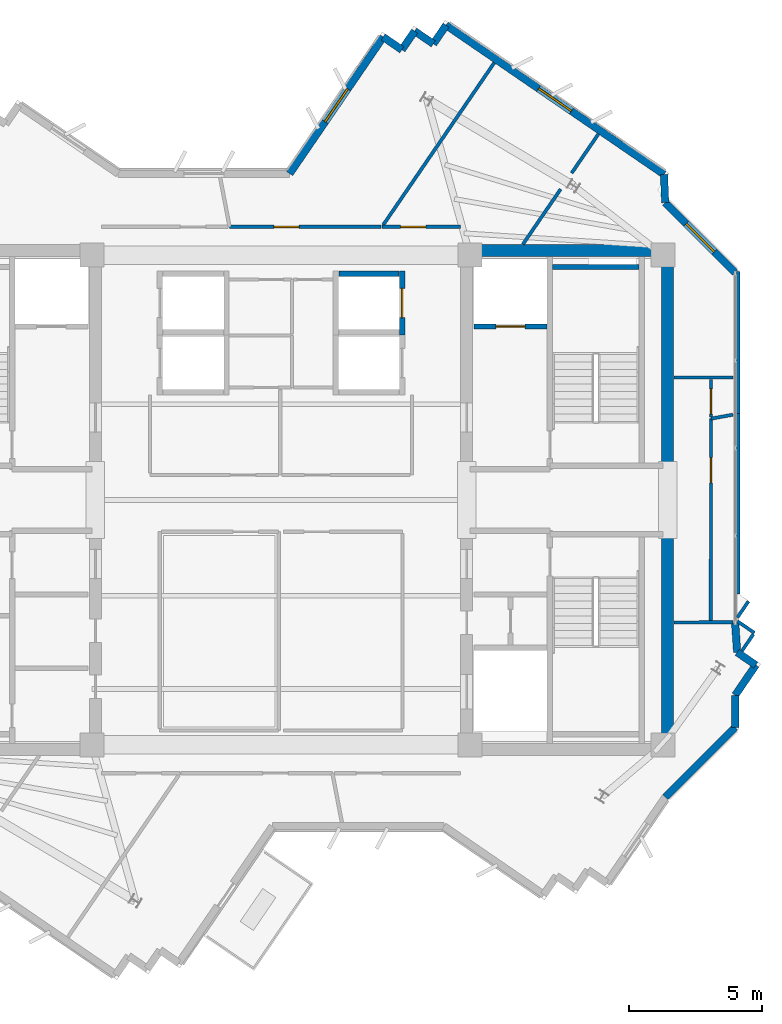
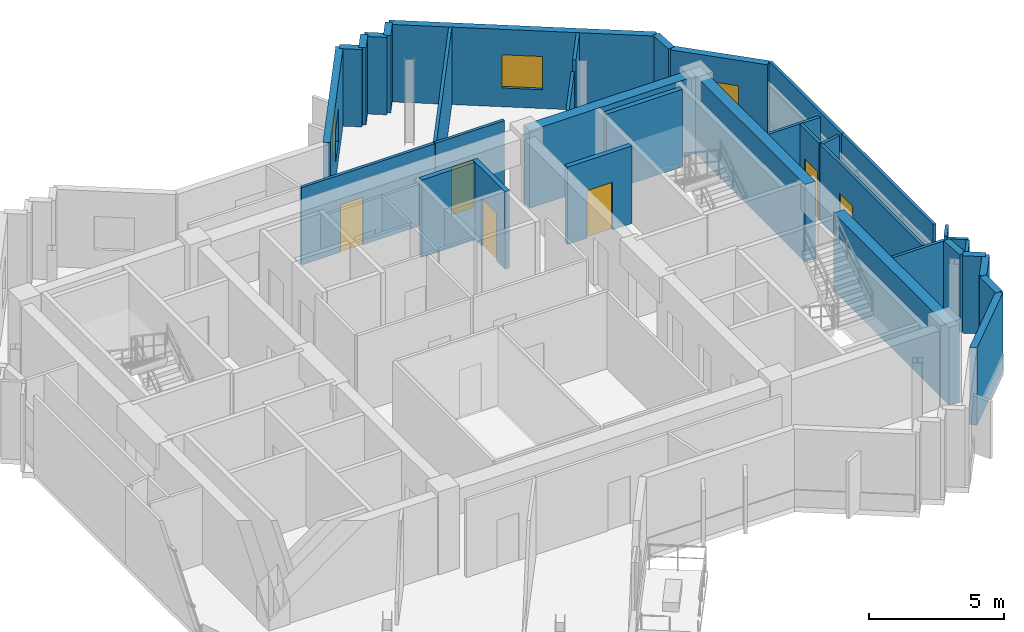
# One storey, part 8 of 11: 35 walls, 6 doors, 3 windows, 9 openings.
"""IFC4 building model written with IfcOpenShell, lengths in metres."""

import ifcopenshell
import ifcopenshell.guid

model = None  # the IFC model being written
_history = None  # IfcOwnerHistory: only IFC2X3 demands one
_inside = {}  # id of a spatial element -> (the spatial element, [elements in it])
_under = {}  # id of a project, library or spatial element -> (it, [spatial elements below it])
_declared = {}  # id of a project -> (the project, [libraries it declares])
_typed = {}  # id of a type object -> (the type object, [elements of that type])
_made_of = {}  # id of a material, layer set ... -> (it, [elements and type objects made of it])


def new_model(schema):
    """Start an empty IFC model of exactly this schema.

    Asked for "IFC4X3", IfcOpenShell would pick the latest addendum, in which some entities
    have other attributes; the version numbers below select the first issue.
    IFC2X3 requires an IfcOwnerHistory on every rooted entity: one is made here for all.
    """
    global model, _history
    if schema == "IFC4X3":
        model = ifcopenshell.file(schema_version=(4, 3, 0, 0))
    else:
        model = ifcopenshell.file(schema=schema)
    _inside.clear()
    _under.clear()
    _declared.clear()
    _typed.clear()
    _made_of.clear()
    _history = None
    if model.schema == "IFC2X3":
        org = make("IfcOrganization", Name="unknown")
        user = make(
            "IfcPersonAndOrganization",
            ThePerson=make("IfcPerson", FamilyName="unknown"),
            TheOrganization=org,
        )
        app = make(
            "IfcApplication",
            ApplicationDeveloper=org,
            Version="unknown",
            ApplicationFullName="unknown",
            ApplicationIdentifier="unknown",
        )
        _history = make(
            "IfcOwnerHistory",
            OwningUser=user,
            OwningApplication=app,
            ChangeAction="ADDED",
            CreationDate=0,
        )
    return model


def make(cls, **values):
    """One entity of the class cls with the attributes given. An attribute that is None is left unset."""
    return model.create_entity(
        cls, **{name: value for name, value in values.items() if value is not None}
    )


def rooted(cls, **values):
    """An entity with a GlobalId (a new one), such as an element, a storey or a relation."""
    return make(cls, GlobalId=ifcopenshell.guid.new(), OwnerHistory=_history, **values)


def si_unit(unit_type, name, prefix=None):
    """IfcSIUnit, for example si_unit("LENGTHUNIT", "METRE", prefix="MILLI")."""
    return make("IfcSIUnit", UnitType=unit_type, Prefix=prefix, Name=name)


def assignment(units):
    """IfcUnitAssignment: the units of a project."""
    return None if units is None else make("IfcUnitAssignment", Units=units)


def point(xyz):
    """IfcCartesianPoint."""
    return None if xyz is None else make("IfcCartesianPoint", Coordinates=xyz)


def direction(xyz):
    """IfcDirection."""
    return None if xyz is None else make("IfcDirection", DirectionRatios=xyz)


def frame(location, z_axis=None, x_axis=None):
    """IfcAxis2Placement3D, a coordinate frame: its origin and axes. An axis left out is left unset."""
    return make(
        "IfcAxis2Placement3D",
        Location=point(location),
        Axis=direction(z_axis),
        RefDirection=direction(x_axis),
    )


def frame_2d(location, x_axis=None):
    """IfcAxis2Placement2D, a coordinate frame in the plane: its origin and x axis."""
    return make(
        "IfcAxis2Placement2D", Location=point(location), RefDirection=direction(x_axis)
    )


def origin():
    """The frame at (0, 0, 0) with its axes left unset."""
    return frame((0.0, 0.0, 0.0))


def place(relative_to, where):
    """IfcLocalPlacement: puts the frame where relative to a parent placement (None: the world)."""
    return make(
        "IfcLocalPlacement", PlacementRelTo=relative_to, RelativePlacement=where
    )


def context(
    kind, dimensions, precision=None, world=None, true_north=None, identifier=None
):
    """IfcGeometricRepresentationContext, for example the 3D "Model" context."""
    return make(
        "IfcGeometricRepresentationContext",
        ContextIdentifier=identifier,
        ContextType=kind,
        CoordinateSpaceDimension=dimensions,
        Precision=precision,
        WorldCoordinateSystem=world,
        TrueNorth=true_north,
    )


def subcontext(parent, identifier, kind, view, scale=None):
    """IfcGeometricRepresentationSubContext, for example "Body" below "Model"."""
    return make(
        "IfcGeometricRepresentationSubContext",
        ContextIdentifier=identifier,
        ContextType=kind,
        ParentContext=parent,
        TargetScale=scale,
        TargetView=view,
    )


def project(units=None, contexts=None):
    """IfcProject with its units and contexts."""
    return rooted(
        "IfcProject",
        Name="project",
        RepresentationContexts=contexts,
        UnitsInContext=assignment(units),
    )


def spatial(cls, under=None, at=None, **own):
    """A site, building, storey or space (cls), placed at a placement, below another one or the project."""
    s = rooted(cls, ObjectPlacement=at, **own)
    if under is not None:
        _under.setdefault(under.id(), (under, []))[1].append(s)
    return s


def profile(cls, at=None, kind="AREA", **sizes):
    """A parametric profile (cls). Its sizes go by their IFC names, for example OverallWidth=200.0."""
    return make(cls, ProfileType=kind, Position=at, **sizes)


def rectangle(**sizes):
    """IfcRectangleProfileDef."""
    return profile("IfcRectangleProfileDef", **sizes)


def extrude(swept, where, along, depth):
    """IfcExtrudedAreaSolid: the profile swept, set in the frame where, extruded along a direction by depth."""
    return make(
        "IfcExtrudedAreaSolid",
        SweptArea=swept,
        Position=where,
        ExtrudedDirection=direction(along),
        Depth=depth,
    )


def shape(context_of_items, identifier, shape_type, items):
    """IfcShapeRepresentation: the items that make up one representation, for example the "Body"."""
    return make(
        "IfcShapeRepresentation",
        ContextOfItems=context_of_items,
        RepresentationIdentifier=identifier,
        RepresentationType=shape_type,
        Items=items,
    )


def source(mapping_origin, context_of_items, identifier, shape_type, items):
    """IfcRepresentationMap: a shape defined once, which mapped items show again and again."""
    return make(
        "IfcRepresentationMap",
        MappingOrigin=mapping_origin,
        MappedRepresentation=shape(context_of_items, identifier, shape_type, items),
    )


def transform(
    local_origin,
    x_axis=None,
    y_axis=None,
    z_axis=None,
    scale=None,
    scale2=None,
    scale3=None,
    uniform=True,
):
    """IfcCartesianTransformationOperator3D, or its non-uniform kind. x_axis, y_axis, z_axis: its Axis1, 2, 3."""
    if uniform:
        return make(
            "IfcCartesianTransformationOperator3D",
            Axis1=direction(x_axis),
            Axis2=direction(y_axis),
            LocalOrigin=point(local_origin),
            Scale=scale,
            Axis3=direction(z_axis),
        )
    return make(
        "IfcCartesianTransformationOperator3DnonUniform",
        Axis1=direction(x_axis),
        Axis2=direction(y_axis),
        LocalOrigin=point(local_origin),
        Scale=scale,
        Axis3=direction(z_axis),
        Scale2=scale2,
        Scale3=scale3,
    )


def mapped(mapping_source, mapping_target):
    """IfcMappedItem: shows the shape of a source again, moved by a transform."""
    return make(
        "IfcMappedItem", MappingSource=mapping_source, MappingTarget=mapping_target
    )


def material(Name=None, Category=None):
    """IfcMaterial."""
    return make("IfcMaterial", Name=Name, Category=Category)


def layer(
    of_material, thickness, ventilated=None, Name=None, Category=None, Priority=None
):
    """IfcMaterialLayer: one layer of a wall or slab, of a material (None: an air gap)."""
    return make(
        "IfcMaterialLayer",
        Material=of_material,
        LayerThickness=thickness,
        IsVentilated=ventilated,
        Name=Name,
        Category=Category,
        Priority=Priority,
    )


def layer_set(layers, Name=None):
    """IfcMaterialLayerSet."""
    return make("IfcMaterialLayerSet", MaterialLayers=layers, LayerSetName=Name)


def made_of(thing, what):
    """Note that an element or type object is made of a material, layer set ...; save() writes the relation."""
    if what is not None:
        _made_of.setdefault(what.id(), (what, []))[1].append(thing)
    return thing


def type_object(cls, material=None, **own):
    """A type object (cls), such as IfcWallType, which elements share."""
    return made_of(rooted(cls, **own), material)


def element(
    cls,
    number,
    at=None,
    inside=None,
    cuts=None,
    type_object=None,
    material=None,
    context=None,
    identifier="Body",
    shape_type=None,
    held_by="IfcProductDefinitionShape",
    body=None,
    shapes=None,
    **own,
):
    """One element of the class cls, such as IfcWall. Its Tag is "e" and its number.

    at: its placement. inside: the storey or other place that contains it. cuts: it is an
    opening in that element (IfcRelVoidsElement). A single representation is given by context,
    identifier, shape_type and body (its items); several are given by shapes. held_by: the class
    of the entity that holds the representations. save() writes the other relations.
    """
    e = rooted(cls, Tag="e%d" % number, ObjectPlacement=at, **own)
    if body is not None:
        shapes = [shape(context, identifier, shape_type, body)]
    if shapes is not None:
        e.Representation = make(held_by, Representations=shapes)
    if inside is not None:
        _inside.setdefault(inside.id(), (inside, []))[1].append(e)
    if cuts is not None:
        rooted(
            "IfcRelVoidsElement", RelatingBuildingElement=cuts, RelatedOpeningElement=e
        )
    if type_object is not None:
        _typed.setdefault(type_object.id(), (type_object, []))[1].append(e)
    return made_of(e, material)


def fill(opening, filler):
    """IfcRelFillsElement: the door or window that sits in an opening."""
    return rooted(
        "IfcRelFillsElement",
        RelatingOpeningElement=opening,
        RelatedBuildingElement=filler,
    )


def aggregate(whole, parts):
    """IfcRelAggregates: a whole, such as a stair, and the parts it consists of."""
    return rooted("IfcRelAggregates", RelatingObject=whole, RelatedObjects=parts)


def save(model, path):
    """Write the relations noted so far, then the file.

    IfcRelAggregates (storeys below a building ...), IfcRelContainedInSpatialStructure (elements
    in a storey), IfcRelDefinesByType, IfcRelAssociatesMaterial and IfcRelDeclares: one each for
    every whole, place, type object, material and project.
    """
    for whole, parts in _under.values():
        aggregate(whole, parts)
    for where, things in _inside.values():
        rooted(
            "IfcRelContainedInSpatialStructure",
            RelatedElements=things,
            RelatingStructure=where,
        )
    for kind, things in _typed.values():
        rooted("IfcRelDefinesByType", RelatedObjects=things, RelatingType=kind)
    for what, things in _made_of.values():
        rooted("IfcRelAssociatesMaterial", RelatedObjects=things, RelatingMaterial=what)
    for by, libraries in _declared.values():
        rooted("IfcRelDeclares", RelatingContext=by, RelatedDefinitions=libraries)
    model.write(path)


model = new_model("IFC4")

# Units and contexts
model_context = context("Model", 3, precision=1e-05, world=origin(), true_north=direction((0.0, 1.0)))
body_context = subcontext(model_context, "Body", "Model", "MODEL_VIEW")
ifc_project = project(units=[si_unit("LENGTHUNIT", "METRE"), si_unit("AREAUNIT", "SQUARE_METRE"), si_unit("VOLUMEUNIT", "CUBIC_METRE"), si_unit("PLANEANGLEUNIT", "RADIAN"), si_unit("MASSUNIT", "GRAM", prefix="KILO")], contexts=[model_context])

# Site, building, storey
site_placement = place(None, origin())
site = spatial("IfcSite", under=ifc_project, at=site_placement, CompositionType="ELEMENT")
building_placement = place(site_placement, origin())
building = spatial("IfcBuilding", under=site, at=building_placement, Name="Zahravan Cultural Tower", CompositionType="ELEMENT")
storey_placement = place(building_placement, frame((0.0, 0.0, 338.550048828125)))
storey = spatial("IfcBuildingStorey", under=building, at=storey_placement, Name="L82", CompositionType="ELEMENT", Elevation=338.550048828125)

# Wall, opening, window
ifc_material_1 = material(Name="Precast concrete C40/50", Category="concrete")
ifc_layer_1 = layer(ifc_material_1, 0.280029296875)
ifc_layer_set_1 = layer_set([ifc_layer_1], Name="Precast concrete C40/50")
wall_type_1 = type_object("IfcWallType", Name="EW-TC-280", PredefinedType="SOLIDWALL", material=ifc_layer_set_1)
wall_1_placement = place(storey_placement, frame((36.322998046875, 39.260009765625, 0.0), z_axis=(0.0, 0.0, 1.0), x_axis=(0.564953982519, 0.825122413728, 0.0)))
wall_1 = element("IfcWall", 1, at=wall_1_placement, inside=storey, type_object=wall_type_1, Name="L82 Exterior Masonry Frame Wall 14", PredefinedType="SOLIDWALL", context=body_context, shape_type="SweptSolid", body=[
    extrude(rectangle(XDim=6.221435546875, YDim=0.280029296875, at=frame_2d((3.11083984375, 0.0))), origin(), (0.0, 0.0, 1.0), 3.5),
])
opening_1_placement = place(wall_1_placement, frame((2.361083984375, 0.0, 0.85009765625)))
opening_1 = element("IfcOpeningElement", 2, at=opening_1_placement, cuts=wall_1, Name="Opening WN-03", PredefinedType="OPENING", context=body_context, shape_type="SweptSolid", body=[
    extrude(rectangle(XDim=1.5, YDim=1.5, at=frame_2d((0.75, 0.75))), frame((0.0, 0.14990234375, 0.0), z_axis=(0.0, -1.0, 0.0), x_axis=(1.0, 0.0, 0.0)), (0.0, 0.0, 1.0), 0.300048828125),
])
ifc_material_2 = material(Name="Low-E solar-control double glazing", Category="glass")
window_type = type_object("IfcWindowType", Name="WN-REC-1500X1500", PartitioningType="SINGLE_PANEL", PredefinedType="WINDOW", material=ifc_material_2)
shared_shape_1 = source(origin(), body_context, "Body", "SweptSolid", [
    extrude(rectangle(XDim=1.5, YDim=1.5, at=frame_2d((0.75, 0.75))), frame((0.0, 0.030029296875, 0.0), z_axis=(0.0, -1.0, 0.0), x_axis=(1.0, 0.0, 0.0)), (0.0, 0.0, 1.0), 0.06005859375),
])
window_1_placement = place(opening_1_placement, origin())
window_1 = element("IfcWindow", 3, at=window_1_placement, inside=storey, type_object=window_type, Name="L82 Recessed Solar Window 05", OverallHeight=1.5, OverallWidth=1.5, PartitioningType="SINGLE_PANEL", PredefinedType="WINDOW", context=body_context, shape_type="MappedRepresentation", body=[
    mapped(shared_shape_1, transform((0.0, 0.0, 0.0), x_axis=(1.0, 0.0, 0.0), y_axis=(0.0, 1.0, 0.0), z_axis=(0.0, 0.0, 1.0), scale=1.0)),
])
fill(opening_1, window_1)

wall_2_placement = place(storey_placement, frame((42.201171875, 44.835693359375, 0.0), z_axis=(0.0, 0.0, 1.0), x_axis=(0.825121888295, -0.56495474992, 0.0)))
wall_2 = element("IfcWall", 4, at=wall_2_placement, inside=storey, type_object=wall_type_1, Name="L82 Exterior Masonry Frame Wall 19", PredefinedType="SOLIDWALL", context=body_context, shape_type="SweptSolid", body=[
    extrude(rectangle(XDim=9.919921875, YDim=0.280029296875, at=frame_2d((4.9599609375, 0.0))), origin(), (0.0, 0.0, 1.0), 3.5),
])
opening_2_placement = place(wall_2_placement, frame((4.2099609375, 0.0, 0.85009765625)))
opening_2 = element("IfcOpeningElement", 5, at=opening_2_placement, cuts=wall_2, Name="Opening WN-03", PredefinedType="OPENING", context=body_context, shape_type="SweptSolid", body=[
    extrude(rectangle(XDim=1.5, YDim=1.5, at=frame_2d((0.75, 0.75))), frame((0.0, 0.14990234375, 0.0), z_axis=(0.0, -1.0, 0.0), x_axis=(1.0, 0.0, 0.0)), (0.0, 0.0, 1.0), 0.300048828125),
])
window_2_placement = place(opening_2_placement, origin())
window_2 = element("IfcWindow", 6, at=window_2_placement, inside=storey, type_object=window_type, Name="L82 Recessed Solar Window 06", OverallHeight=1.5, OverallWidth=1.5, PartitioningType="SINGLE_PANEL", PredefinedType="WINDOW", context=body_context, shape_type="MappedRepresentation", body=[
    mapped(shared_shape_1, transform((0.0, 0.0, 0.0), x_axis=(1.0, 0.0, 0.0), y_axis=(0.0, 1.0, 0.0), z_axis=(0.0, 0.0, 1.0), scale=1.0)),
])
fill(opening_2, window_2)

wall_3_placement = place(storey_placement, frame((50.432373046875, 38.169677734375, 0.0), z_axis=(0.0, 0.0, 1.0), x_axis=(0.707106781187, -0.707106781187, 0.0)))
wall_3 = element("IfcWall", 7, at=wall_3_placement, inside=storey, type_object=wall_type_1, Name="L82 Exterior Masonry Frame Wall 21", PredefinedType="SOLIDWALL", context=body_context, shape_type="SweptSolid", body=[
    extrude(rectangle(XDim=3.716064453125, YDim=0.280029296875, at=frame_2d((1.85791015625, 0.0))), origin(), (0.0, 0.0, 1.0), 3.5),
])
opening_3_placement = place(wall_3_placement, frame((1.10791015625, 0.0, 0.85009765625)))
opening_3 = element("IfcOpeningElement", 8, at=opening_3_placement, cuts=wall_3, Name="Opening WN-03", PredefinedType="OPENING", context=body_context, shape_type="SweptSolid", body=[
    extrude(rectangle(XDim=1.5, YDim=1.5, at=frame_2d((0.75, 0.75))), frame((0.0, 0.14990234375, 0.0), z_axis=(0.0, -1.0, 0.0), x_axis=(1.0, 0.0, 0.0)), (0.0, 0.0, 1.0), 0.300048828125),
])
window_3_placement = place(opening_3_placement, origin())
window_3 = element("IfcWindow", 9, at=window_3_placement, inside=storey, type_object=window_type, Name="L82 Recessed Solar Window 07", OverallHeight=1.5, OverallWidth=1.5, PartitioningType="SINGLE_PANEL", PredefinedType="WINDOW", context=body_context, shape_type="MappedRepresentation", body=[
    mapped(shared_shape_1, transform((0.0, 0.0, 0.0), x_axis=(1.0, 0.0, 0.0), y_axis=(0.0, 1.0, 0.0), z_axis=(0.0, 0.0, 1.0), scale=1.0)),
])
fill(opening_3, window_3)

# Wall, opening, door
ifc_material_3 = material(Name="Gypsum plasterboard partition")
ifc_layer_2 = layer(ifc_material_3, 0.125)
ifc_layer_set_2 = layer_set([ifc_layer_2], Name="Gypsum plasterboard partition")
wall_type_2 = type_object("IfcWallType", Name="W-PART-125", PredefinedType="PARTITIONING", material=ifc_layer_set_2)
wall_4_placement = place(storey_placement, frame((52.1474609375, 22.469970703125, 0.0), z_axis=(0.0, 0.0, 1.0), x_axis=(0.000321874581, 0.999999948198, 0.0)))
wall_4 = element("IfcWall", 10, at=wall_4_placement, inside=storey, type_object=wall_type_2, Name="L82 Interior Wall 056", PredefinedType="PARTITIONING", context=body_context, shape_type="SweptSolid", body=[
    extrude(rectangle(XDim=7.5849609375, YDim=0.125, at=frame_2d((3.79248046875, 0.0))), origin(), (0.0, 0.0, 1.0), 3.5),
])
opening_4_placement = place(wall_4_placement, frame((5.17529296875, 0.0, 0.0)))
opening_4 = element("IfcOpeningElement", 11, at=opening_4_placement, cuts=wall_4, Name="Opening D-L82-29", PredefinedType="OPENING", context=body_context, shape_type="SweptSolid", body=[
    extrude(rectangle(XDim=0.949951171875, YDim=2.14990234375, at=frame_2d((0.47509765625, 1.074951171875))), frame((0.0, 0.072509765625, 0.0), z_axis=(0.0, -1.0, 0.0), x_axis=(1.0, 0.0, 0.0)), (0.0, 0.0, 1.0), 0.14501953125),
])
ifc_material_4 = material(Name="Anodised bronze-aluminium mullion", Category="aluminium")
door_type_1 = type_object("IfcDoorType", Name="DR-ROOM-950", OperationType="NOTDEFINED", PredefinedType="DOOR", material=ifc_material_4)
shared_shape_2 = source(origin(), body_context, "Body", "SweptSolid", [
    extrude(rectangle(XDim=0.949951171875, YDim=2.14990234375, at=frame_2d((0.47509765625, 1.074951171875))), frame((0.0, 0.02490234375, 0.0), z_axis=(0.0, -1.0, 0.0), x_axis=(1.0, 0.0, 0.0)), (0.0, 0.0, 1.0), 0.050048828125),
])
door_1_placement = place(opening_4_placement, origin())
door_1 = element("IfcDoor", 12, at=door_1_placement, inside=storey, type_object=door_type_1, Name="L82 Door D-L82-29", OperationType="SINGLE_SWING_RIGHT", OverallHeight=2.14990234375, OverallWidth=0.949951171875, PredefinedType="DOOR", context=body_context, shape_type="MappedRepresentation", body=[
    mapped(shared_shape_2, transform((0.0, 0.0, 0.0), x_axis=(1.0, 0.0, 0.0), y_axis=(0.0, 1.0, 0.0), z_axis=(0.0, 0.0, 1.0), scale=1.0)),
])
fill(opening_4, door_1)

wall_5_placement = place(storey_placement, frame((52.14990234375, 30.12353515625, 0.0), z_axis=(0.0, 0.0, 1.0), x_axis=(-0.000520201074, 0.999999864695, 0.0)))
wall_5 = element("IfcWall", 13, at=wall_5_placement, inside=storey, type_object=wall_type_2, Name="L82 Interior Wall 078", PredefinedType="PARTITIONING", context=body_context, shape_type="SweptSolid", body=[
    extrude(rectangle(XDim=1.407958984375, YDim=0.125, at=frame_2d((0.7041015625, 0.0))), origin(), (0.0, 0.0, 1.0), 3.5),
])
opening_5_placement = place(wall_5_placement, frame((0.100830078125, 0.0, 0.0)))
opening_5 = element("IfcOpeningElement", 14, at=opening_5_placement, cuts=wall_5, Name="Opening D-L82-20", PredefinedType="OPENING", context=body_context, shape_type="SweptSolid", body=[
    extrude(rectangle(XDim=0.949951171875, YDim=2.14990234375, at=frame_2d((0.47509765625, 1.074951171875))), frame((0.0, 0.072509765625, 0.0), z_axis=(0.0, -1.0, 0.0), x_axis=(1.0, 0.0, 0.0)), (0.0, 0.0, 1.0), 0.14501953125),
])
door_2_placement = place(opening_5_placement, origin())
door_2 = element("IfcDoor", 15, at=door_2_placement, inside=storey, type_object=door_type_1, Name="L82 Door D-L82-20", OperationType="SINGLE_SWING_LEFT", OverallHeight=2.14990234375, OverallWidth=0.949951171875, PredefinedType="DOOR", context=body_context, shape_type="MappedRepresentation", body=[
    mapped(shared_shape_2, transform((0.0, 0.0, 0.0), x_axis=(1.0, 0.0, 0.0), y_axis=(0.0, 1.0, 0.0), z_axis=(0.0, 0.0, 1.0), scale=1.0)),
])
fill(opening_5, door_2)

wall_6_placement = place(storey_placement, frame((42.742431640625, 37.259765625, 0.0), z_axis=(0.0, 0.0, 1.0), x_axis=(-0.999999996583, 8.2671957e-05, 0.0)))
wall_6 = element("IfcWall", 16, at=wall_6_placement, inside=storey, type_object=wall_type_2, Name="L82 Interior Wall 079", PredefinedType="PARTITIONING", context=body_context, shape_type="SweptSolid", body=[
    extrude(rectangle(XDim=2.953125, YDim=0.125, at=frame_2d((1.4765625, 0.0))), origin(), (0.0, 0.0, 1.0), 3.5),
])
opening_6_placement = place(wall_6_placement, frame((1.302001953125, 0.0, 0.0)))
opening_6 = element("IfcOpeningElement", 17, at=opening_6_placement, cuts=wall_6, Name="Opening D-L82-21", PredefinedType="OPENING", context=body_context, shape_type="SweptSolid", body=[
    extrude(rectangle(XDim=0.949951171875, YDim=2.14990234375, at=frame_2d((0.47509765625, 1.074951171875))), frame((0.0, 0.072509765625, 0.0), z_axis=(0.0, -1.0, 0.0), x_axis=(1.0, 0.0, 0.0)), (0.0, 0.0, 1.0), 0.14501953125),
])
door_3_placement = place(opening_6_placement, origin())
door_3 = element("IfcDoor", 18, at=door_3_placement, inside=storey, type_object=door_type_1, Name="L82 Door D-L82-21", OperationType="SINGLE_SWING_RIGHT", OverallHeight=2.14990234375, OverallWidth=0.949951171875, PredefinedType="DOOR", context=body_context, shape_type="MappedRepresentation", body=[
    mapped(shared_shape_2, transform((0.0, 0.0, 0.0), x_axis=(1.0, 0.0, 0.0), y_axis=(0.0, 1.0, 0.0), z_axis=(0.0, 0.0, 1.0), scale=1.0)),
])
fill(opening_6, door_3)

wall_7_placement = place(storey_placement, frame((39.764892578125, 37.260009765625, 0.0), z_axis=(0.0, 0.0, 1.0), x_axis=(-1.0, 0.0, 0.0)))
wall_7 = element("IfcWall", 19, at=wall_7_placement, inside=storey, type_object=wall_type_2, Name="L82 Interior Wall 090", PredefinedType="PARTITIONING", context=body_context, shape_type="SweptSolid", body=[
    extrude(rectangle(XDim=5.696044921875, YDim=0.125, at=frame_2d((2.84814453125, 0.0))), origin(), (0.0, 0.0, 1.0), 3.5),
])
opening_7_placement = place(wall_7_placement, frame((3.0849609375, 0.0, 0.0)))
opening_7 = element("IfcOpeningElement", 20, at=opening_7_placement, cuts=wall_7, Name="Opening D-L82-22", PredefinedType="OPENING", context=body_context, shape_type="SweptSolid", body=[
    extrude(rectangle(XDim=0.949951171875, YDim=2.14990234375, at=frame_2d((0.47509765625, 1.074951171875))), frame((0.0, 0.072509765625, 0.0), z_axis=(0.0, -1.0, 0.0), x_axis=(1.0, 0.0, 0.0)), (0.0, 0.0, 1.0), 0.14501953125),
])
door_4_placement = place(opening_7_placement, origin())
door_4 = element("IfcDoor", 21, at=door_4_placement, inside=storey, type_object=door_type_1, Name="L82 Door D-L82-22", OperationType="SINGLE_SWING_LEFT", OverallHeight=2.14990234375, OverallWidth=0.949951171875, PredefinedType="DOOR", context=body_context, shape_type="MappedRepresentation", body=[
    mapped(shared_shape_2, transform((0.0, 0.0, 0.0), x_axis=(1.0, 0.0, 0.0), y_axis=(0.0, 1.0, 0.0), z_axis=(0.0, 0.0, 1.0), scale=1.0)),
])
fill(opening_7, door_4)

ifc_material_5 = material(Name="Concrete C45/55", Category="concrete")
ifc_layer_3 = layer(ifc_material_5, 0.199951171875)
ifc_layer_set_3 = layer_set([ifc_layer_3], Name="Concrete C45/55")
wall_type_3 = type_object("IfcWallType", Name="W-SHAFT-200", PredefinedType="SOLIDWALL", material=ifc_layer_set_3)
wall_8_placement = place(storey_placement, frame((43.25, 33.52001953125, 0.0), z_axis=(0.0, 0.0, 1.0), x_axis=(1.0, 0.0, 0.0)))
wall_8 = element("IfcWall", 22, at=wall_8_placement, inside=storey, type_object=wall_type_3, Name="L82 Interior Wall 023", PredefinedType="SOLIDWALL", context=body_context, shape_type="SweptSolid", body=[
    extrude(rectangle(XDim=2.75, YDim=0.199951171875, at=frame_2d((1.375, 0.0))), origin(), (0.0, 0.0, 1.0), 3.5),
])
opening_8_placement = place(wall_8_placement, frame((0.820068359375, 0.0, 0.0)))
opening_8 = element("IfcOpeningElement", 23, at=opening_8_placement, cuts=wall_8, Name="Opening LD-L82-02", PredefinedType="OPENING", context=body_context, shape_type="SweptSolid", body=[
    extrude(rectangle(XDim=1.10009765625, YDim=2.14990234375, at=frame_2d((0.550048828125, 1.074951171875))), frame((0.0, 0.10986328125, 0.0), z_axis=(0.0, -1.0, 0.0), x_axis=(1.0, 0.0, 0.0)), (0.0, 0.0, 1.0), 0.219970703125),
])
ifc_material_6 = material(Name="Steel ASTM A572 Grade 50", Category="steel")
door_type_2 = type_object("IfcDoorType", Name="DR-LIFT-1100", OperationType="DOUBLE_DOOR_SLIDING", PredefinedType="DOOR", material=ifc_material_6)
shared_shape_3 = source(origin(), body_context, "Body", "SweptSolid", [
    extrude(rectangle(XDim=1.10009765625, YDim=2.14990234375, at=frame_2d((0.550048828125, 1.074951171875))), frame((0.0, 0.02490234375, 0.0), z_axis=(0.0, -1.0, 0.0), x_axis=(1.0, 0.0, 0.0)), (0.0, 0.0, 1.0), 0.050048828125),
])
door_5_placement = place(opening_8_placement, origin())
door_5 = element("IfcDoor", 24, at=door_5_placement, inside=storey, type_object=door_type_2, Name="L82 Door LD-L82-02", OperationType="DOUBLE_DOOR_SLIDING", OverallHeight=2.14990234375, OverallWidth=1.10009765625, PredefinedType="DOOR", context=body_context, shape_type="MappedRepresentation", body=[
    mapped(shared_shape_3, transform((0.0, 0.0, 0.0), x_axis=(1.0, 0.0, 0.0), y_axis=(0.0, 1.0, 0.0), z_axis=(0.0, 0.0, 1.0), scale=1.0)),
])
fill(opening_8, door_5)

wall_9_placement = place(storey_placement, frame((40.550048828125, 33.199951171875, 0.0), z_axis=(0.0, 0.0, 1.0), x_axis=(0.0, 1.0, 0.0)))
wall_9 = element("IfcWall", 25, at=wall_9_placement, inside=storey, type_object=wall_type_3, Name="L82 Interior Wall 037", PredefinedType="SOLIDWALL", context=body_context, shape_type="SweptSolid", body=[
    extrude(rectangle(XDim=2.400146484375, YDim=0.199951171875, at=frame_2d((1.2001953125, 0.0))), origin(), (0.0, 0.0, 1.0), 3.5),
])
opening_9_placement = place(wall_9_placement, frame((0.64990234375, 0.0, 0.0)))
opening_9 = element("IfcOpeningElement", 26, at=opening_9_placement, cuts=wall_9, Name="Opening LD-L82-06", PredefinedType="OPENING", context=body_context, shape_type="SweptSolid", body=[
    extrude(rectangle(XDim=1.10009765625, YDim=2.14990234375, at=frame_2d((0.550048828125, 1.074951171875))), frame((0.0, 0.10986328125, 0.0), z_axis=(0.0, -1.0, 0.0), x_axis=(1.0, 0.0, 0.0)), (0.0, 0.0, 1.0), 0.219970703125),
])
door_6_placement = place(opening_9_placement, origin())
door_6 = element("IfcDoor", 27, at=door_6_placement, inside=storey, type_object=door_type_2, Name="L82 Door LD-L82-06", OperationType="DOUBLE_DOOR_SLIDING", OverallHeight=2.14990234375, OverallWidth=1.10009765625, PredefinedType="DOOR", context=body_context, shape_type="MappedRepresentation", body=[
    mapped(shared_shape_3, transform((0.0, 0.0, 0.0), x_axis=(1.0, 0.0, 0.0), y_axis=(0.0, 1.0, 0.0), z_axis=(0.0, 0.0, 1.0), scale=1.0)),
])
fill(opening_9, door_6)

# Walls
ifc_material_7 = material(Name="Concrete C50/60", Category="concrete")
ifc_layer_4 = layer(ifc_material_7, 0.449951171875)
ifc_layer_set_4 = layer_set([ifc_layer_4], Name="Concrete C50/60")
wall_type_4 = type_object("IfcWallType", Name="CW-SHEAR-450-C50", PredefinedType="SHEAR", material=ifc_layer_set_4)
shared_shape_4 = source(origin(), body_context, "Body", "SweptSolid", [
    extrude(rectangle(XDim=8.550048828125, YDim=0.449951171875, at=frame_2d((4.27490234375, 0.0))), origin(), (0.0, 0.0, 1.0), 3.5),
])
for number, where, z_axis, x_axis, name in (
    (28, (50.52490234375, 17.39990234375, 0.0), (0.0, 0.0, 1.0), (0.0, 1.0, 0.0), "L82 Core Shear Wall CW-E-ES-L82"),
    (29, (50.52490234375, 28.050048828125, 0.0), (0.0, 0.0, 1.0), (0.0, 1.0, 0.0), "L82 Core Shear Wall CW-E-EN-L82"),
):
    element("IfcWall", number, at=place(storey_placement, frame(where, z_axis=z_axis, x_axis=x_axis)), inside=storey, type_object=wall_type_4, Name=name, PredefinedType="SHEAR", context=body_context, shape_type="MappedRepresentation", body=[
        mapped(shared_shape_4, transform((0.0, 0.0, 0.0), x_axis=(1.0, 0.0, 0.0), y_axis=(0.0, 1.0, 0.0), z_axis=(0.0, 0.0, 1.0), scale=1.0)),
    ])
shared_shape_5 = source(origin(), body_context, "Body", "SweptSolid", [
    extrude(rectangle(XDim=7.10009765625, YDim=0.449951171875, at=frame_2d((3.550048828125, 0.0))), origin(), (0.0, 0.0, 1.0), 3.5),
])
wall_10_placement = place(storey_placement, frame((43.199951171875, 36.375, 0.0), z_axis=(0.0, 0.0, 1.0), x_axis=(1.0, 0.0, 0.0)))
element("IfcWall", 30, at=wall_10_placement, inside=storey, type_object=wall_type_4, Name="L82 Core Shear Wall CW-E-N-L82", PredefinedType="SHEAR", context=body_context, shape_type="MappedRepresentation", body=[
    mapped(shared_shape_5, transform((0.0, 0.0, 0.0), x_axis=(1.0, 0.0, 0.0), y_axis=(0.0, 1.0, 0.0), z_axis=(0.0, 0.0, 1.0), scale=1.0)),
])
shared_shape_6 = source(origin(), body_context, "Body", "SweptSolid", [
    extrude(rectangle(XDim=0.85009765625, YDim=0.280029296875, at=frame_2d((0.425048828125, 0.0))), origin(), (0.0, 0.0, 1.0), 3.5),
])
for number, where, z_axis, x_axis, name in (
    (31, (39.837890625, 44.3935546875, 0.0), (0.0, 0.0, 1.0), (0.825138153006, -0.564930994418, 0.0), "L82 Exterior Masonry Frame Wall 15"),
    (32, (40.539306640625, 43.913330078125, 0.0), (0.0, 0.0, 1.0), (0.564930994418, 0.825138153006, 0.0), "L82 Exterior Masonry Frame Wall 16"),
    (33, (41.01953125, 44.61474609375, 0.0), (0.0, 0.0, 1.0), (0.825138153006, -0.564930994418, 0.0), "L82 Exterior Masonry Frame Wall 17"),
):
    element("IfcWall", number, at=place(storey_placement, frame(where, z_axis=z_axis, x_axis=x_axis)), inside=storey, type_object=wall_type_1, Name=name, PredefinedType="SOLIDWALL", context=body_context, shape_type="MappedRepresentation", body=[
        mapped(shared_shape_6, transform((0.0, 0.0, 0.0), x_axis=(1.0, 0.0, 0.0), y_axis=(0.0, 1.0, 0.0), z_axis=(0.0, 0.0, 1.0), scale=1.0)),
    ])
shared_shape_7 = source(origin(), body_context, "Body", "SweptSolid", [
    extrude(rectangle(XDim=0.849853515625, YDim=0.280029296875, at=frame_2d((0.4248046875, 0.0))), origin(), (0.0, 0.0, 1.0), 3.5),
])
for number, where, z_axis, x_axis, name in (
    (34, (41.720947265625, 44.134521484375, 0.0), (0.0, 0.0, 1.0), (0.565064897913, 0.825046459993, 0.0), "L82 Exterior Masonry Frame Wall 18"),
    (35, (53.134521484375, 21.279052734375, 0.0), (0.0, 0.0, 1.0), (0.825046459993, -0.565064897913, 0.0), "L82 Exterior Masonry Frame Wall 23"),
):
    element("IfcWall", number, at=place(storey_placement, frame(where, z_axis=z_axis, x_axis=x_axis)), inside=storey, type_object=wall_type_1, Name=name, PredefinedType="SOLIDWALL", context=body_context, shape_type="MappedRepresentation", body=[
        mapped(shared_shape_7, transform((0.0, 0.0, 0.0), x_axis=(1.0, 0.0, 0.0), y_axis=(0.0, 1.0, 0.0), z_axis=(0.0, 0.0, 1.0), scale=1.0)),
    ])
shared_shape_8 = source(origin(), body_context, "Body", "SweptSolid", [
    extrude(rectangle(XDim=1.08349609375, YDim=0.280029296875, at=frame_2d((0.541748046875, 0.0))), origin(), (0.0, 0.0, 1.0), 3.5),
])
wall_11_placement = place(storey_placement, frame((53.06005859375, 22.360107421875, 0.0), z_axis=(0.0, 0.0, 1.0), x_axis=(0.068717036618, -0.997636190642, 0.0)))
element("IfcWall", 36, at=wall_11_placement, inside=storey, type_object=wall_type_1, Name="L82 Exterior Masonry Frame Wall 22", PredefinedType="SOLIDWALL", context=body_context, shape_type="MappedRepresentation", body=[
    mapped(shared_shape_8, transform((0.0, 0.0, 0.0), x_axis=(1.0, 0.0, 0.0), y_axis=(0.0, 1.0, 0.0), z_axis=(0.0, 0.0, 1.0), scale=1.0)),
])
shared_shape_9 = source(origin(), body_context, "Body", "SweptSolid", [
    extrude(rectangle(XDim=1.373046875, YDim=0.280029296875, at=frame_2d((0.6865234375, 0.0))), origin(), (0.0, 0.0, 1.0), 3.5),
])
wall_12_placement = place(storey_placement, frame((53.835693359375, 20.798828125, 0.0), z_axis=(0.0, 0.0, 1.0), x_axis=(-0.564875120833, -0.825176404088, 0.0)))
element("IfcWall", 37, at=wall_12_placement, inside=storey, type_object=wall_type_1, Name="L82 Exterior Masonry Frame Wall 24", PredefinedType="SOLIDWALL", context=body_context, shape_type="MappedRepresentation", body=[
    mapped(shared_shape_9, transform((0.0, 0.0, 0.0), x_axis=(1.0, 0.0, 0.0), y_axis=(0.0, 1.0, 0.0), z_axis=(0.0, 0.0, 1.0), scale=1.0)),
])
shared_shape_10 = source(origin(), body_context, "Body", "SweptSolid", [
    extrude(rectangle(XDim=1.207763671875, YDim=0.280029296875, at=frame_2d((0.60400390625, 0.0))), origin(), (0.0, 0.0, 1.0), 3.5),
])
wall_13_placement = place(storey_placement, frame((53.06005859375, 19.665771484375, 0.0), z_axis=(0.0, 0.0, 1.0), x_axis=(0.0, -1.0, 0.0)))
element("IfcWall", 38, at=wall_13_placement, inside=storey, type_object=wall_type_1, Name="L82 Exterior Masonry Frame Wall 25", PredefinedType="SOLIDWALL", context=body_context, shape_type="MappedRepresentation", body=[
    mapped(shared_shape_10, transform((0.0, 0.0, 0.0), x_axis=(1.0, 0.0, 0.0), y_axis=(0.0, 1.0, 0.0), z_axis=(0.0, 0.0, 1.0), scale=1.0)),
])
shared_shape_11 = source(origin(), body_context, "Body", "SweptSolid", [
    extrude(rectangle(XDim=3.70947265625, YDim=0.280029296875, at=frame_2d((1.854736328125, 0.0))), origin(), (0.0, 0.0, 1.0), 3.5),
])
wall_14_placement = place(storey_placement, frame((53.06005859375, 18.4580078125, 0.0), z_axis=(0.0, 0.0, 1.0), x_axis=(-0.707106781187, -0.707106781187, 0.0)))
element("IfcWall", 39, at=wall_14_placement, inside=storey, type_object=wall_type_1, Name="L82 Exterior Masonry Frame Wall 26", PredefinedType="SOLIDWALL", context=body_context, shape_type="MappedRepresentation", body=[
    mapped(shared_shape_11, transform((0.0, 0.0, 0.0), x_axis=(1.0, 0.0, 0.0), y_axis=(0.0, 1.0, 0.0), z_axis=(0.0, 0.0, 1.0), scale=1.0)),
])
shared_shape_12 = source(origin(), body_context, "Body", "SweptSolid", [
    extrude(rectangle(XDim=1.062744140625, YDim=0.280029296875, at=frame_2d((0.53125, 0.0))), origin(), (0.0, 0.0, 1.0), 3.5),
])
wall_15_placement = place(storey_placement, frame((50.38623046875, 39.2314453125, 0.0), z_axis=(0.0, 0.0, 1.0), x_axis=(0.043417286211, -0.999057025028, 0.0)))
element("IfcWall", 40, at=wall_15_placement, inside=storey, type_object=wall_type_1, Name="L82 Exterior Masonry Frame Wall 20", PredefinedType="SOLIDWALL", context=body_context, shape_type="MappedRepresentation", body=[
    mapped(shared_shape_12, transform((0.0, 0.0, 0.0), x_axis=(1.0, 0.0, 0.0), y_axis=(0.0, 1.0, 0.0), z_axis=(0.0, 0.0, 1.0), scale=1.0)),
])
shared_shape_13 = source(origin(), body_context, "Body", "SweptSolid", [
    extrude(rectangle(XDim=3.25, YDim=0.199951171875, at=frame_2d((1.625, 0.0))), origin(), (0.0, 0.0, 1.0), 3.5),
])
wall_16_placement = place(storey_placement, frame((46.199951171875, 35.75, 0.0), z_axis=(0.0, 0.0, 1.0), x_axis=(1.0, 0.0, 0.0)))
element("IfcWall", 41, at=wall_16_placement, inside=storey, type_object=wall_type_3, Name="L82 Interior Wall 018", PredefinedType="SOLIDWALL", context=body_context, shape_type="MappedRepresentation", body=[
    mapped(shared_shape_13, transform((0.0, 0.0, 0.0), x_axis=(1.0, 0.0, 0.0), y_axis=(0.0, 1.0, 0.0), z_axis=(0.0, 0.0, 1.0), scale=1.0)),
])
shared_shape_14 = source(origin(), body_context, "Body", "SweptSolid", [
    extrude(rectangle(XDim=2.260009765625, YDim=0.199951171875, at=frame_2d((1.1298828125, 0.0))), origin(), (0.0, 0.0, 1.0), 3.5),
])
wall_17_placement = place(storey_placement, frame((38.169921875, 35.5, 0.0), z_axis=(0.0, 0.0, 1.0), x_axis=(1.0, 0.0, 0.0)))
element("IfcWall", 42, at=wall_17_placement, inside=storey, type_object=wall_type_3, Name="L82 Interior Wall 039", PredefinedType="SOLIDWALL", context=body_context, shape_type="MappedRepresentation", body=[
    mapped(shared_shape_14, transform((0.0, 0.0, 0.0), x_axis=(1.0, 0.0, 0.0), y_axis=(0.0, 1.0, 0.0), z_axis=(0.0, 0.0, 1.0), scale=1.0)),
])
shared_shape_15 = source(origin(), body_context, "Body", "SweptSolid", [
    extrude(rectangle(XDim=2.22265625, YDim=0.125, at=frame_2d((1.111328125, 0.0))), origin(), (0.0, 0.0, 1.0), 3.5),
])
for number, where, z_axis, x_axis, name in (
    (43, (50.7548828125, 22.400146484375, 0.0), (0.0, 0.0, 1.0), (0.999998642665, 0.00164762518, 0.0), "L82 Interior Wall 055"),
    (44, (52.9775390625, 31.598388671875, 0.0), (0.0, 0.0, 1.0), (-0.999999704402, 0.000768892567, 0.0), "L82 Interior Wall 074"),
):
    element("IfcWall", number, at=place(storey_placement, frame(where, z_axis=z_axis, x_axis=x_axis)), inside=storey, type_object=wall_type_2, Name=name, PredefinedType="PARTITIONING", context=body_context, shape_type="MappedRepresentation", body=[
        mapped(shared_shape_15, transform((0.0, 0.0, 0.0), x_axis=(1.0, 0.0, 0.0), y_axis=(0.0, 1.0, 0.0), z_axis=(0.0, 0.0, 1.0), scale=1.0)),
    ])
shared_shape_16 = source(origin(), body_context, "Body", "SweptSolid", [
    extrude(rectangle(XDim=0.8359375, YDim=0.125, at=frame_2d((0.41796875, 0.0))), origin(), (0.0, 0.0, 1.0), 3.5),
])
wall_18_placement = place(storey_placement, frame((52.14990234375, 30.054931640625, 0.0), z_axis=(0.0, 0.0, 1.0), x_axis=(0.983949253333, 0.178448499195, 0.0)))
element("IfcWall", 45, at=wall_18_placement, inside=storey, type_object=wall_type_2, Name="L82 Interior Wall 057", PredefinedType="PARTITIONING", context=body_context, shape_type="MappedRepresentation", body=[
    mapped(shared_shape_16, transform((0.0, 0.0, 0.0), x_axis=(1.0, 0.0, 0.0), y_axis=(0.0, 1.0, 0.0), z_axis=(0.0, 0.0, 1.0), scale=1.0)),
])
shared_shape_17 = source(origin(), body_context, "Body", "SweptSolid", [
    extrude(rectangle(XDim=6.776611328125, YDim=0.125, at=frame_2d((3.38818359375, 0.0))), origin(), (0.0, 0.0, 1.0), 3.5),
])
wall_19_placement = place(storey_placement, frame((53.179931640625, 30.24169921875, 0.0), z_axis=(0.0, 0.0, 1.0), x_axis=(7.2053896e-05, -0.999999997404, 0.0)))
element("IfcWall", 46, at=wall_19_placement, inside=storey, type_object=wall_type_2, Name="L82 Interior Wall 058", PredefinedType="PARTITIONING", context=body_context, shape_type="MappedRepresentation", body=[
    mapped(shared_shape_17, transform((0.0, 0.0, 0.0), x_axis=(1.0, 0.0, 0.0), y_axis=(0.0, 1.0, 0.0), z_axis=(0.0, 0.0, 1.0), scale=1.0)),
])
shared_shape_18 = source(origin(), body_context, "Body", "SweptSolid", [
    extrude(rectangle(XDim=0.738037109375, YDim=0.125, at=frame_2d((0.369140625, 0.0))), origin(), (0.0, 0.0, 1.0), 3.5),
])
wall_20_placement = place(storey_placement, frame((53.560302734375, 23.193115234375, 0.0), z_axis=(0.0, 0.0, 1.0), x_axis=(-0.563069892808, -0.826409278634, 0.0)))
element("IfcWall", 47, at=wall_20_placement, inside=storey, type_object=wall_type_2, Name="L82 Interior Wall 059", PredefinedType="PARTITIONING", context=body_context, shape_type="MappedRepresentation", body=[
    mapped(shared_shape_18, transform((0.0, 0.0, 0.0), x_axis=(1.0, 0.0, 0.0), y_axis=(0.0, 1.0, 0.0), z_axis=(0.0, 0.0, 1.0), scale=1.0)),
])
shared_shape_19 = source(origin(), body_context, "Body", "SweptSolid", [
    extrude(rectangle(XDim=0.7734375, YDim=0.125, at=frame_2d((0.38671875, 0.0))), origin(), (0.0, 0.0, 1.0), 3.5),
])
wall_21_placement = place(storey_placement, frame((53.143310546875, 22.448486328125, 0.0), z_axis=(0.0, 0.0, 1.0), x_axis=(0.825237562889, -0.56478576894, 0.0)))
element("IfcWall", 48, at=wall_21_placement, inside=storey, type_object=wall_type_2, Name="L82 Interior Wall 060", PredefinedType="PARTITIONING", context=body_context, shape_type="MappedRepresentation", body=[
    mapped(shared_shape_19, transform((0.0, 0.0, 0.0), x_axis=(1.0, 0.0, 0.0), y_axis=(0.0, 1.0, 0.0), z_axis=(0.0, 0.0, 1.0), scale=1.0)),
])
shared_shape_20 = source(origin(), body_context, "Body", "SweptSolid", [
    extrude(rectangle(XDim=0.75732421875, YDim=0.125, at=frame_2d((0.378662109375, 0.0))), origin(), (0.0, 0.0, 1.0), 3.5),
])
wall_22_placement = place(storey_placement, frame((53.743408203125, 21.9560546875, 0.0), z_axis=(0.0, 0.0, 1.0), x_axis=(-0.564406554972, -0.825496965896, 0.0)))
element("IfcWall", 49, at=wall_22_placement, inside=storey, type_object=wall_type_2, Name="L82 Interior Wall 061", PredefinedType="PARTITIONING", context=body_context, shape_type="MappedRepresentation", body=[
    mapped(shared_shape_20, transform((0.0, 0.0, 0.0), x_axis=(1.0, 0.0, 0.0), y_axis=(0.0, 1.0, 0.0), z_axis=(0.0, 0.0, 1.0), scale=1.0)),
])
shared_shape_21 = source(origin(), body_context, "Body", "SweptSolid", [
    extrude(rectangle(XDim=2.5107421875, YDim=0.125, at=frame_2d((1.25537109375, 0.0))), origin(), (0.0, 0.0, 1.0), 3.5),
])
wall_23_placement = place(storey_placement, frame((45.08544921875, 36.60498046875, 0.0), z_axis=(0.0, 0.0, 1.0), x_axis=(0.564980194272, 0.825104466162, 0.0)))
element("IfcWall", 50, at=wall_23_placement, inside=storey, type_object=wall_type_2, Name="L82 Interior Wall 075", PredefinedType="PARTITIONING", context=body_context, shape_type="MappedRepresentation", body=[
    mapped(shared_shape_21, transform((0.0, 0.0, 0.0), x_axis=(1.0, 0.0, 0.0), y_axis=(0.0, 1.0, 0.0), z_axis=(0.0, 0.0, 1.0), scale=1.0)),
])
shared_shape_22 = source(origin(), body_context, "Body", "SweptSolid", [
    extrude(rectangle(XDim=1.775146484375, YDim=0.125, at=frame_2d((0.8876953125, 0.0))), origin(), (0.0, 0.0, 1.0), 3.5),
])
wall_24_placement = place(storey_placement, frame((46.916748046875, 39.27978515625, 0.0), z_axis=(0.0, 0.0, 1.0), x_axis=(0.56509798207, 0.825023800057, 0.0)))
element("IfcWall", 51, at=wall_24_placement, inside=storey, type_object=wall_type_2, Name="L82 Interior Wall 076", PredefinedType="PARTITIONING", context=body_context, shape_type="MappedRepresentation", body=[
    mapped(shared_shape_22, transform((0.0, 0.0, 0.0), x_axis=(1.0, 0.0, 0.0), y_axis=(0.0, 1.0, 0.0), z_axis=(0.0, 0.0, 1.0), scale=1.0)),
])
shared_shape_23 = source(origin(), body_context, "Body", "SweptSolid", [
    extrude(rectangle(XDim=5.35009765625, YDim=0.125, at=frame_2d((2.675048828125, 0.0))), origin(), (0.0, 0.0, 1.0), 3.5),
])
wall_25_placement = place(storey_placement, frame((53.179931640625, 35.591796875, 0.0), z_axis=(0.0, 0.0, 1.0), x_axis=(0.0, -1.0, 0.0)))
element("IfcWall", 52, at=wall_25_placement, inside=storey, type_object=wall_type_2, Name="L82 Interior Wall 077", PredefinedType="PARTITIONING", context=body_context, shape_type="MappedRepresentation", body=[
    mapped(shared_shape_23, transform((0.0, 0.0, 0.0), x_axis=(1.0, 0.0, 0.0), y_axis=(0.0, 1.0, 0.0), z_axis=(0.0, 0.0, 1.0), scale=1.0)),
])
shared_shape_24 = source(origin(), body_context, "Body", "SweptSolid", [
    extrude(rectangle(XDim=7.386962890625, YDim=0.125, at=frame_2d((3.693359375, 0.0))), origin(), (0.0, 0.0, 1.0), 3.5),
])
wall_26_placement = place(storey_placement, frame((39.83544921875, 37.327392578125, 0.0), z_axis=(0.0, 0.0, 1.0), x_axis=(0.564969427755, 0.8251118383, 0.0)))
element("IfcWall", 53, at=wall_26_placement, inside=storey, type_object=wall_type_2, Name="L82 Interior Wall 080", PredefinedType="PARTITIONING", context=body_context, shape_type="MappedRepresentation", body=[
    mapped(shared_shape_24, transform((0.0, 0.0, 0.0), x_axis=(1.0, 0.0, 0.0), y_axis=(0.0, 1.0, 0.0), z_axis=(0.0, 0.0, 1.0), scale=1.0)),
])

save(model, "model.ifc")
